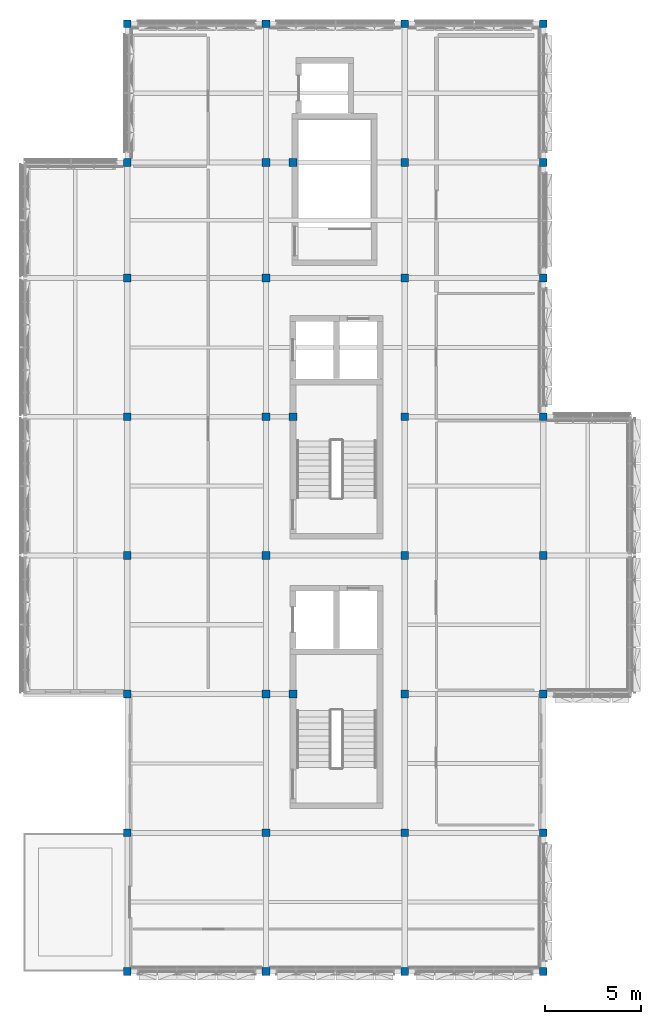
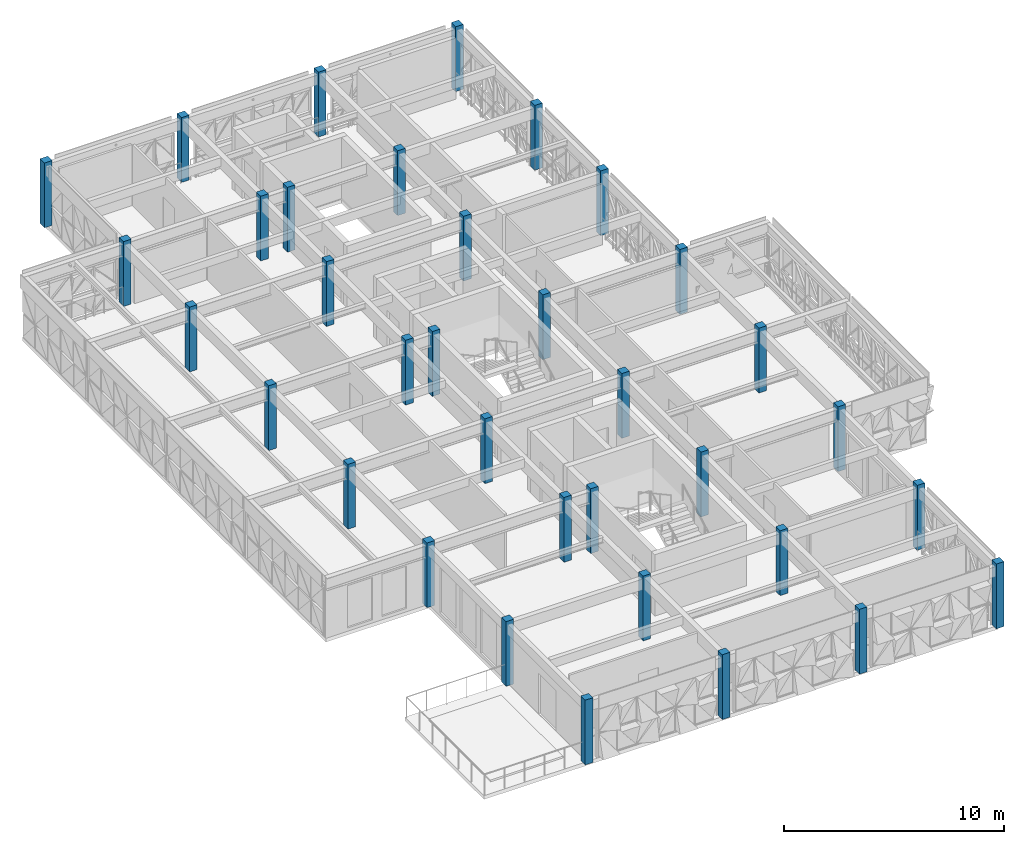
# One storey, part 1 of 25: 35 columns.
"""IFC4 building model written with IfcOpenShell, lengths in metres."""

from ifc_helpers import new_model, si_unit, direction, frame, origin, origin_2d, place, context, subcontext, project, spatial, rectangle, extrude, material, material_profile, profile_set, type_object, element, save


model = new_model("IFC4")

# Units and contexts
model_context = context("Model", 3, precision=1e-05, world=origin(), true_north=direction((0.0, 1.0)))
body_context = subcontext(model_context, "Body", "Model", "MODEL_VIEW")
ifc_project = project(units=[si_unit("LENGTHUNIT", "METRE"), si_unit("AREAUNIT", "SQUARE_METRE"), si_unit("VOLUMEUNIT", "CUBIC_METRE"), si_unit("PLANEANGLEUNIT", "RADIAN"), si_unit("MASSUNIT", "GRAM", prefix="KILO")], contexts=[model_context])

# Site, building, storey
site_placement = place(None, origin())
site = spatial("IfcSite", under=ifc_project, at=site_placement, CompositionType="ELEMENT")
building_placement = place(site_placement, origin())
building = spatial("IfcBuilding", under=site, at=building_placement, Name="Alvorim Cloister Faculty of Sciences", CompositionType="ELEMENT")
storey_placement = place(building_placement, frame((0.0, 0.0, 29.699951171875)))
storey = spatial("IfcBuildingStorey", under=building, at=storey_placement, Name="L08", CompositionType="ELEMENT", Elevation=29.699951171875)

# Columns
ifc_material = material(Name="Glulam GL32h", Category="wood")
ifc_material_profile = material_profile(ifc_material, rectangle(XDim=0.39990234375, YDim=0.39990234375, at=origin_2d()), Name="GL32-COL-400x400")
ifc_profile_set = profile_set([ifc_material_profile], Name="Glulam GL32h")
column_type = type_object("IfcColumnType", Name="COL-GL-400", PredefinedType="COLUMN", material=ifc_profile_set)
for number, where, z_axis, x_axis, name in (
    (1, (7.199951171875, 7.199951171875, 0.0), (0.0, 0.0, 1.0), (1.0, 0.0, 0.0), "L08 Column COL-1072"),
    (2, (7.199951171875, 14.39990234375, 0.0), (0.0, 0.0, 1.0), (1.0, 0.0, 0.0), "L08 Column COL-1073"),
    (3, (7.199951171875, 21.60009765625, 0.0), (0.0, 0.0, 1.0), (1.0, 0.0, 0.0), "L08 Column COL-1074"),
    (4, (7.199951171875, 28.800048828125, 0.0), (0.0, 0.0, 1.0), (1.0, 0.0, 0.0), "L08 Column COL-1075"),
    (5, (7.199951171875, 36.0, 0.0), (0.0, 0.0, 1.0), (1.0, 0.0, 0.0), "L08 Column COL-1076"),
    (6, (7.199951171875, 43.199951171875, 0.0), (0.0, 0.0, 1.0), (1.0, 0.0, 0.0), "L08 Column COL-1077"),
    (7, (7.199951171875, 49.199951171875, 0.0), (0.0, 0.0, 1.0), (1.0, 0.0, 0.0), "L08 Column COL-1078"),
    (8, (7.199951171875, 56.39990234375, 0.0), (0.0, 0.0, 1.0), (1.0, 0.0, 0.0), "L08 Column COL-1079"),
    (9, (14.39990234375, 7.199951171875, 0.0), (0.0, 0.0, 1.0), (1.0, 0.0, 0.0), "L08 Column COL-1080"),
    (10, (14.39990234375, 14.39990234375, 0.0), (0.0, 0.0, 1.0), (1.0, 0.0, 0.0), "L08 Column COL-1081"),
    (11, (14.39990234375, 21.60009765625, 0.0), (0.0, 0.0, 1.0), (1.0, 0.0, 0.0), "L08 Column COL-1082"),
    (12, (14.39990234375, 28.800048828125, 0.0), (0.0, 0.0, 1.0), (1.0, 0.0, 0.0), "L08 Column COL-1083"),
    (13, (14.39990234375, 36.0, 0.0), (0.0, 0.0, 1.0), (1.0, 0.0, 0.0), "L08 Column COL-1084"),
    (14, (14.39990234375, 43.199951171875, 0.0), (0.0, 0.0, 1.0), (1.0, 0.0, 0.0), "L08 Column COL-1085"),
    (15, (14.39990234375, 49.199951171875, 0.0), (0.0, 0.0, 1.0), (1.0, 0.0, 0.0), "L08 Column COL-1086"),
    (16, (14.39990234375, 56.39990234375, 0.0), (0.0, 0.0, 1.0), (1.0, 0.0, 0.0), "L08 Column COL-1087"),
    (17, (15.800048828125, 21.60009765625, 0.0), (0.0, 0.0, 1.0), (1.0, 0.0, 0.0), "L08 Column COL-1088"),
    (18, (15.800048828125, 36.0, 0.0), (0.0, 0.0, 1.0), (1.0, 0.0, 0.0), "L08 Column COL-1089"),
    (19, (15.800048828125, 49.199951171875, 0.0), (0.0, 0.0, 1.0), (1.0, 0.0, 0.0), "L08 Column COL-1090"),
    (20, (21.60009765625, 7.199951171875, 0.0), (0.0, 0.0, 1.0), (1.0, 0.0, 0.0), "L08 Column COL-1091"),
    (21, (21.60009765625, 14.39990234375, 0.0), (0.0, 0.0, 1.0), (1.0, 0.0, 0.0), "L08 Column COL-1092"),
    (22, (21.60009765625, 21.60009765625, 0.0), (0.0, 0.0, 1.0), (1.0, 0.0, 0.0), "L08 Column COL-1093"),
    (23, (21.60009765625, 28.800048828125, 0.0), (0.0, 0.0, 1.0), (1.0, 0.0, 0.0), "L08 Column COL-1094"),
    (24, (21.60009765625, 36.0, 0.0), (0.0, 0.0, 1.0), (1.0, 0.0, 0.0), "L08 Column COL-1095"),
    (25, (21.60009765625, 43.199951171875, 0.0), (0.0, 0.0, 1.0), (1.0, 0.0, 0.0), "L08 Column COL-1096"),
    (26, (21.60009765625, 49.199951171875, 0.0), (0.0, 0.0, 1.0), (1.0, 0.0, 0.0), "L08 Column COL-1097"),
    (27, (21.60009765625, 56.39990234375, 0.0), (0.0, 0.0, 1.0), (1.0, 0.0, 0.0), "L08 Column COL-1098"),
    (28, (28.800048828125, 7.199951171875, 0.0), (0.0, 0.0, 1.0), (1.0, 0.0, 0.0), "L08 Column COL-1099"),
    (29, (28.800048828125, 14.39990234375, 0.0), (0.0, 0.0, 1.0), (1.0, 0.0, 0.0), "L08 Column COL-1100"),
    (30, (28.800048828125, 21.60009765625, 0.0), (0.0, 0.0, 1.0), (1.0, 0.0, 0.0), "L08 Column COL-1101"),
    (31, (28.800048828125, 28.800048828125, 0.0), (0.0, 0.0, 1.0), (1.0, 0.0, 0.0), "L08 Column COL-1102"),
    (32, (28.800048828125, 36.0, 0.0), (0.0, 0.0, 1.0), (1.0, 0.0, 0.0), "L08 Column COL-1103"),
    (33, (28.800048828125, 43.199951171875, 0.0), (0.0, 0.0, 1.0), (1.0, 0.0, 0.0), "L08 Column COL-1104"),
    (34, (28.800048828125, 49.199951171875, 0.0), (0.0, 0.0, 1.0), (1.0, 0.0, 0.0), "L08 Column COL-1105"),
    (35, (28.800048828125, 56.39990234375, 0.0), (0.0, 0.0, 1.0), (1.0, 0.0, 0.0), "L08 Column COL-1106"),
):
    element("IfcColumn", number, at=place(storey_placement, frame(where, z_axis=z_axis, x_axis=x_axis)), inside=storey, type_object=column_type, Name=name, PredefinedType="COLUMN", context=body_context, shape_type="SweptSolid", body=[
        extrude(rectangle(XDim=0.39990234375, YDim=0.39990234375, at=origin_2d()), origin(), (0.0, 0.0, 1.0), 3.60009765625),
    ])

save(model, "model.ifc")
